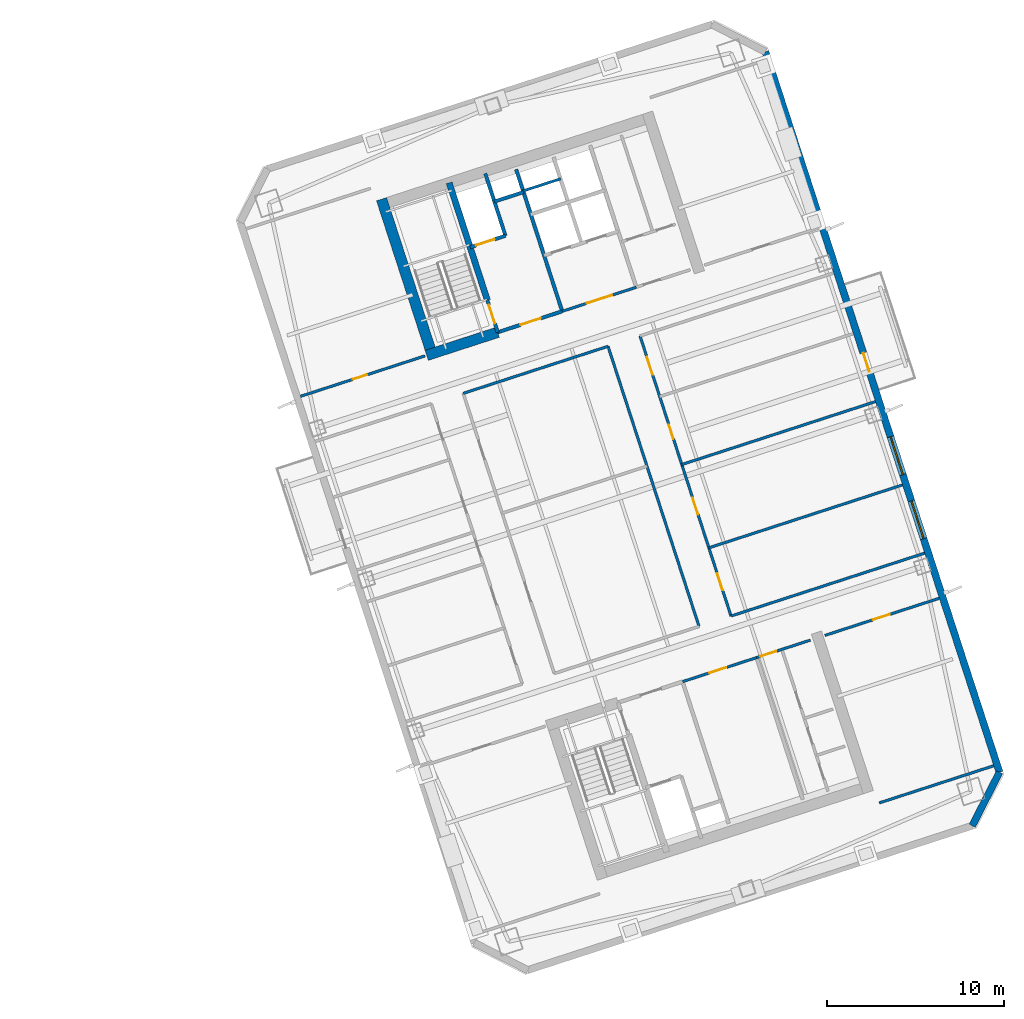
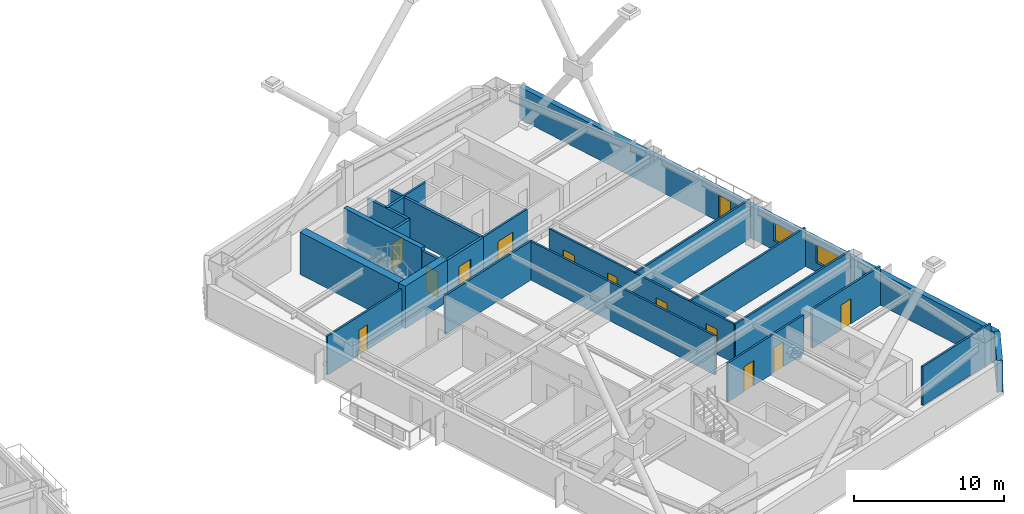
# One storey, part 10 of 18: 24 walls, 13 doors, 2 windows, 15 openings.
"""IFC4 building model written with IfcOpenShell, lengths in metres."""

from ifc_helpers import new_model, si_unit, direction, frame, frame_2d, origin, place, context, subcontext, project, spatial, rectangle, extrude, material, layer, layer_set, type_object, element, fill, save


model = new_model("IFC4")

# Units and contexts
model_context = context("Model", 3, precision=1e-05, world=origin(), true_north=direction((0.0, 1.0)))
body_context = subcontext(model_context, "Body", "Model", "MODEL_VIEW")
ifc_project = project(units=[si_unit("LENGTHUNIT", "METRE"), si_unit("AREAUNIT", "SQUARE_METRE"), si_unit("VOLUMEUNIT", "CUBIC_METRE"), si_unit("PLANEANGLEUNIT", "RADIAN"), si_unit("MASSUNIT", "GRAM", prefix="KILO")], contexts=[model_context])

# Site, building, storey
site_placement = place(None, origin())
site = spatial("IfcSite", under=ifc_project, at=site_placement, CompositionType="ELEMENT")
building_placement = place(site_placement, origin())
building = spatial("IfcBuilding", under=site, at=building_placement, Name="Qiaolan Cultural Towers", CompositionType="ELEMENT")
storey_placement = place(building_placement, frame((0.0, 0.0, 163.300048828125)))
storey = spatial("IfcBuildingStorey", under=building, at=storey_placement, Name="L43", CompositionType="ELEMENT", Elevation=163.300048828125)

# Walls
ifc_material_1 = material(Name="Concrete C50", Category="concrete")
ifc_layer_1 = layer(ifc_material_1, 0.35009765625)
ifc_layer_set_1 = layer_set([ifc_layer_1], Name="Concrete C50")
wall_type_1 = type_object("IfcWallType", Name="WL-CORE-350", PredefinedType="SHEAR", material=ifc_layer_set_1)
wall_1_placement = place(storey_placement, frame((82.513671875, 45.13134765625, 0.0), z_axis=(0.0, 0.0, 1.0), x_axis=(-0.308988790936, 0.951065679686, 0.0)))
element("IfcWall", 1, at=wall_1_placement, inside=storey, type_object=wall_type_1, Name="L43 T2-CN Stair Core Dividing Web", PredefinedType="SHEAR", context=body_context, shape_type="SweptSolid", body=[
    extrude(rectangle(XDim=6.97998046875, YDim=0.35009765625, at=frame_2d((3.489990234375, 0.0))), origin(), (0.0, 0.0, 1.0), 3.449951171875),
])
ifc_material_2 = material(Name="Concrete C55", Category="concrete")
ifc_layer_2 = layer(ifc_material_2, 0.60009765625)
ifc_layer_set_2 = layer_set([ifc_layer_2], Name="Concrete C55")
wall_type_2 = type_object("IfcWallType", Name="WL-CORE-600", PredefinedType="SHEAR", material=ifc_layer_set_2)
wall_2_placement = place(storey_placement, frame((79.465576171875, 41.827880859375, 0.0), z_axis=(0.0, 0.0, 1.0), x_axis=(-0.309041232772, 0.951048640421, 0.0)))
element("IfcWall", 2, at=wall_2_placement, inside=storey, type_object=wall_type_2, Name="L43 T2-CN West Core Shear Wall", PredefinedType="SHEAR", context=body_context, shape_type="SweptSolid", body=[
    extrude(rectangle(XDim=9.47998046875, YDim=0.60009765625, at=frame_2d((4.739990234375, 0.0))), origin(), (0.0, 0.0, 1.0), 3.449951171875),
])
wall_3_placement = place(storey_placement, frame((79.08740234375, 42.0205078125, 0.0), z_axis=(0.0, 0.0, 1.0), x_axis=(0.951062550203, 0.3089984233, 0.0)))
element("IfcWall", 3, at=wall_3_placement, inside=storey, type_object=wall_type_2, Name="L43 T2-CN Stair Front Shear Wall", PredefinedType="SHEAR", context=body_context, shape_type="SweptSolid", body=[
    extrude(rectangle(XDim=4.219970703125, YDim=0.60009765625, at=frame_2d((2.10986328125, 0.0))), origin(), (0.0, 0.0, 1.0), 3.449951171875),
])

# Wall, openings, door, windows
ifc_material_3 = material(Name="Precast Concrete C50 Honed Stone Pier", Category="masonry")
ifc_layer_3 = layer(ifc_material_3, 0.39990234375)
ifc_layer_set_3 = layer_set([ifc_layer_3], Name="Precast Concrete C50 Honed Stone Pier")
wall_type_3 = type_object("IfcWallType", Name="WL-EXT-PIER-400", PredefinedType="SOLIDWALL", material=ifc_layer_set_3)
wall_4_placement = place(storey_placement, frame((98.2236328125, 59.17333984375, 0.0), z_axis=(0.0, 0.0, 1.0), x_axis=(0.309014228706, -0.951057414911, 0.0)))
wall_4 = element("IfcWall", 4, at=wall_4_placement, inside=storey, type_object=wall_type_3, Name="L43 East Tower Precast Pier Facade Wall F5", PredefinedType="SOLIDWALL", context=body_context, shape_type="SweptSolid", body=[
    extrude(rectangle(XDim=42.800048828125, YDim=0.39990234375, at=frame_2d((21.39990234375, 0.0))), origin(), (0.0, 0.0, 1.0), 2.60986328125),
])
opening_1_placement = place(wall_4_placement, frame((26.675048828125, 0.0, 0.75)))
opening_1 = element("IfcOpeningElement", 5, at=opening_1_placement, cuts=wall_4, Name="Opening W-03", PredefinedType="OPENING", context=body_context, shape_type="SweptSolid", body=[
    extrude(rectangle(XDim=2.25, YDim=1.4599609375, at=frame_2d((1.125, 0.72998046875))), frame((0.0, 0.2099609375, 0.0), z_axis=(0.0, -1.0, 0.0), x_axis=(1.0, 0.0, 0.0)), (0.0, 0.0, 1.0), 0.419921875),
])
opening_2_placement = place(wall_4_placement, frame((22.875, 0.0, 0.75)))
opening_2 = element("IfcOpeningElement", 6, at=opening_2_placement, cuts=wall_4, Name="Opening W-03", PredefinedType="OPENING", context=body_context, shape_type="SweptSolid", body=[
    extrude(rectangle(XDim=2.25, YDim=1.4599609375, at=frame_2d((1.125, 0.72998046875))), frame((0.0, 0.2099609375, 0.0), z_axis=(0.0, -1.0, 0.0), x_axis=(1.0, 0.0, 0.0)), (0.0, 0.0, 1.0), 0.419921875),
])
opening_3_placement = place(wall_4_placement, frame((17.8916015625, 0.0, 0.0)))
opening_3 = element("IfcOpeningElement", 7, at=opening_3_placement, cuts=wall_4, Name="Opening BD-01", PredefinedType="OPENING", context=body_context, shape_type="SweptSolid", body=[
    extrude(rectangle(XDim=1.10009765625, YDim=2.14990234375, at=frame_2d((0.550048828125, 1.074951171875))), frame((0.0, 0.2099609375, 0.0), z_axis=(0.0, -1.0, 0.0), x_axis=(1.0, 0.0, 0.0)), (0.0, 0.0, 1.0), 0.419921875),
])
ifc_material_4 = material(Name="Thermally Broken Aluminium Glazed Terrace Door", Category="aluminium")
door_type_1 = type_object("IfcDoorType", Name="DR-BAL-1100", OperationType="NOTDEFINED", PredefinedType="DOOR", material=ifc_material_4)
door_1_placement = place(opening_3_placement, origin())
door_1 = element("IfcDoor", 8, at=door_1_placement, inside=storey, type_object=door_type_1, Name="L43 T2 East Tree Balcony Door", OperationType="SINGLE_SWING_RIGHT", OverallHeight=2.14990234375, OverallWidth=1.10009765625, PredefinedType="DOOR", context=body_context, shape_type="SweptSolid", body=[
    extrude(rectangle(XDim=1.10009765625, YDim=2.14990234375, at=frame_2d((0.550048828125, 1.074951171875))), frame((0.0, 0.02490234375, 0.0), z_axis=(0.0, -1.0, 0.0), x_axis=(1.0, 0.0, 0.0)), (0.0, 0.0, 1.0), 0.050048828125),
])
fill(opening_3, door_1)
ifc_material_5 = material(Name="Thermally Broken Aluminium Triple Low-E Glazing", Category="aluminium")
window_type = type_object("IfcWindowType", Name="WN-CHIC-2250", PartitioningType="SINGLE_PANEL", PredefinedType="WINDOW", material=ifc_material_5)
window_1_placement = place(opening_1_placement, origin())
window_1 = element("IfcWindow", 9, at=window_1_placement, inside=storey, type_object=window_type, Name="L43 T2 E Chicago Bay Window 1", OverallHeight=1.4599609375, OverallWidth=2.25, PartitioningType="TRIPLE_PANEL_VERTICAL", PredefinedType="WINDOW", context=body_context, shape_type="SweptSolid", body=[
    extrude(rectangle(XDim=2.25, YDim=1.4599609375, at=frame_2d((1.125, 0.72998046875))), frame((0.0, 0.030029296875, 0.0), z_axis=(0.0, -1.0, 0.0), x_axis=(1.0, 0.0, 0.0)), (0.0, 0.0, 1.0), 0.06005859375),
])
fill(opening_1, window_1)
window_2_placement = place(opening_2_placement, origin())
window_2 = element("IfcWindow", 10, at=window_2_placement, inside=storey, type_object=window_type, Name="L43 T2 E Chicago Bay Window 2", OverallHeight=1.4599609375, OverallWidth=2.25, PartitioningType="TRIPLE_PANEL_VERTICAL", PredefinedType="WINDOW", context=body_context, shape_type="SweptSolid", body=[
    extrude(rectangle(XDim=2.25, YDim=1.4599609375, at=frame_2d((1.125, 0.72998046875))), frame((0.0, 0.030029296875, 0.0), z_axis=(0.0, -1.0, 0.0), x_axis=(1.0, 0.0, 0.0)), (0.0, 0.0, 1.0), 0.06005859375),
])
fill(opening_2, window_2)

# Wall
wall_5_placement = place(storey_placement, frame((111.449462890625, 18.468017578125, 0.0), z_axis=(0.0, 0.0, 1.0), x_axis=(-0.454019523198, -0.890991735402, 0.0)))
element("IfcWall", 11, at=wall_5_placement, inside=storey, type_object=wall_type_3, Name="L43 East Tower Precast Pier Facade Wall F6", PredefinedType="SOLIDWALL", context=body_context, shape_type="SweptSolid", body=[
    extrude(rectangle(XDim=3.39404296875, YDim=0.39990234375, at=frame_2d((1.697021484375, 0.0))), origin(), (0.0, 0.0, 1.0), 2.60986328125),
])

# Wall, opening, door
ifc_material_6 = material(Name="Concrete C35 Fire Wall", Category="concrete")
ifc_layer_4 = layer(ifc_material_6, 0.199951171875)
ifc_layer_set_4 = layer_set([ifc_layer_4], Name="Concrete C35 Fire Wall")
wall_type_4 = type_object("IfcWallType", Name="WL-FIRE-200", PredefinedType="PARTITIONING", material=ifc_layer_set_4)
wall_6_placement = place(storey_placement, frame((83.100830078125, 43.324462890625, 0.0), z_axis=(0.0, 0.0, 1.0), x_axis=(-0.309048298632, 0.951046344356, 0.0)))
wall_6 = element("IfcWall", 12, at=wall_6_placement, inside=storey, type_object=wall_type_4, Name="L43 T2-CN Smokeproof Stair Entry Wall", PredefinedType="PARTITIONING", context=body_context, shape_type="SweptSolid", body=[
    extrude(rectangle(XDim=1.89990234375, YDim=0.199951171875, at=frame_2d((0.949951171875, 0.0))), origin(), (0.0, 0.0, 1.0), 3.175048828125),
])
opening_4_placement = place(wall_6_placement, frame((0.52001953125, 0.0, 0.0)))
opening_4 = element("IfcOpeningElement", 13, at=opening_4_placement, cuts=wall_6, Name="Opening FD-04", PredefinedType="OPENING", context=body_context, shape_type="SweptSolid", body=[
    extrude(rectangle(XDim=1.10009765625, YDim=2.050048828125, at=frame_2d((0.550048828125, 1.02490234375))), frame((0.0, 0.10986328125, 0.0), z_axis=(0.0, -1.0, 0.0), x_axis=(1.0, 0.0, 0.0)), (0.0, 0.0, 1.0), 0.219970703125),
])
ifc_material_7 = material(Name="Galvanized Steel Command Fire Door", Category="steel")
door_type_2 = type_object("IfcDoorType", Name="DR-FD90-1100", OperationType="NOTDEFINED", PredefinedType="DOOR", material=ifc_material_7)
door_2_placement = place(opening_4_placement, origin())
door_2 = element("IfcDoor", 14, at=door_2_placement, inside=storey, type_object=door_type_2, Name="L43 ST-E2 Smokeproof Stair Fire Door", OperationType="SINGLE_SWING_LEFT", OverallHeight=2.050048828125, OverallWidth=1.10009765625, PredefinedType="DOOR", context=body_context, shape_type="SweptSolid", body=[
    extrude(rectangle(XDim=1.10009765625, YDim=2.050048828125, at=frame_2d((0.550048828125, 1.02490234375))), frame((0.0, 0.02490234375, 0.0), z_axis=(0.0, -1.0, 0.0), x_axis=(1.0, 0.0, 0.0)), (0.0, 0.0, 1.0), 0.050048828125),
])
fill(opening_4, door_2)

# Wall
wall_7_placement = place(storey_placement, frame((86.743408203125, 44.508056640625, 0.0), z_axis=(0.0, 0.0, 1.0), x_axis=(-0.309016001439, 0.951056838919, 0.0)))
element("IfcWall", 15, at=wall_7_placement, inside=storey, type_object=wall_type_4, Name="L43 T2-CN Firefighting Zone Wall", PredefinedType="PARTITIONING", context=body_context, shape_type="SweptSolid", body=[
    extrude(rectangle(XDim=8.429931640625, YDim=0.199951171875, at=frame_2d((4.21484375, 0.0))), origin(), (0.0, 0.0, 1.0), 3.175048828125),
])

# Wall, opening, door
wall_8_placement = place(storey_placement, frame((83.100830078125, 43.324462890625, 0.0), z_axis=(0.0, 0.0, 1.0), x_axis=(0.951052804469, 0.309028417967, 0.0)))
wall_8 = element("IfcWall", 16, at=wall_8_placement, inside=storey, type_object=wall_type_4, Name="L43 T2-CN Firefighting Lobby Front Wall", PredefinedType="PARTITIONING", context=body_context, shape_type="SweptSolid", body=[
    extrude(rectangle(XDim=3.830078125, YDim=0.199951171875, at=frame_2d((1.9150390625, 0.0))), origin(), (0.0, 0.0, 1.0), 3.175048828125),
])
opening_5_placement = place(wall_8_placement, frame((1.35009765625, 0.0, 0.0)))
opening_5 = element("IfcOpeningElement", 17, at=opening_5_placement, cuts=wall_8, Name="Opening FD-03", PredefinedType="OPENING", context=body_context, shape_type="SweptSolid", body=[
    extrude(rectangle(XDim=1.199951171875, YDim=2.050048828125, at=frame_2d((0.60009765625, 1.02490234375))), frame((0.0, 0.10986328125, 0.0), z_axis=(0.0, -1.0, 0.0), x_axis=(1.0, 0.0, 0.0)), (0.0, 0.0, 1.0), 0.219970703125),
])
ifc_material_8 = material(Name="Galvanized Steel Smokeproof Lobby Fire Door", Category="steel")
door_type_3 = type_object("IfcDoorType", Name="DR-FD90-1200", OperationType="NOTDEFINED", PredefinedType="DOOR", material=ifc_material_8)
door_3_placement = place(opening_5_placement, origin())
door_3 = element("IfcDoor", 18, at=door_3_placement, inside=storey, type_object=door_type_3, Name="L43 FFL-E2 Firefighting Lobby Fire Door", OperationType="SINGLE_SWING_LEFT", OverallHeight=2.050048828125, OverallWidth=1.199951171875, PredefinedType="DOOR", context=body_context, shape_type="SweptSolid", body=[
    extrude(rectangle(XDim=1.199951171875, YDim=2.050048828125, at=frame_2d((0.60009765625, 1.02490234375))), frame((0.0, 0.02490234375, 0.0), z_axis=(0.0, -1.0, 0.0), x_axis=(1.0, 0.0, 0.0)), (0.0, 0.0, 1.0), 0.050048828125),
])
fill(opening_5, door_3)

wall_9_placement = place(storey_placement, frame((81.540283203125, 48.127197265625, 0.0), z_axis=(0.0, 0.0, 1.0), x_axis=(0.951062257173, 0.308999325213, 0.0)))
wall_9 = element("IfcWall", 19, at=wall_9_placement, inside=storey, type_object=wall_type_4, Name="L43 T2-CN Firefighting Shaft Front Wall", PredefinedType="PARTITIONING", context=body_context, shape_type="SweptSolid", body=[
    extrude(rectangle(XDim=2.10009765625, YDim=0.199951171875, at=frame_2d((1.050048828125, 0.0))), origin(), (0.0, 0.0, 1.0), 3.175048828125),
])
opening_6_placement = place(wall_9_placement, frame((0.35009765625, 0.0, 0.0)))
opening_6 = element("IfcOpeningElement", 20, at=opening_6_placement, cuts=wall_9, Name="Opening LD-01", PredefinedType="OPENING", context=body_context, shape_type="SweptSolid", body=[
    extrude(rectangle(XDim=1.10009765625, YDim=2.050048828125, at=frame_2d((0.550048828125, 1.02490234375))), frame((0.0, 0.10986328125, 0.0), z_axis=(0.0, -1.0, 0.0), x_axis=(1.0, 0.0, 0.0)), (0.0, 0.0, 1.0), 0.219970703125),
])
ifc_material_9 = material(Name="Brushed Stainless Steel S30408 Centre-Parting Lift Landing Door", Category="steel")
door_type_4 = type_object("IfcDoorType", Name="DR-LIFT-1100", OperationType="NOTDEFINED", PredefinedType="DOOR", material=ifc_material_9)
door_4_placement = place(opening_6_placement, origin())
door_4 = element("IfcDoor", 21, at=door_4_placement, inside=storey, type_object=door_type_4, Name="L43 FFL-E2 Firefighting Lift Landing Door", OperationType="DOUBLE_DOOR_SLIDING", OverallHeight=2.050048828125, OverallWidth=1.10009765625, PredefinedType="DOOR", context=body_context, shape_type="SweptSolid", body=[
    extrude(rectangle(XDim=1.10009765625, YDim=2.050048828125, at=frame_2d((0.550048828125, 1.02490234375))), frame((0.0, 0.02490234375, 0.0), z_axis=(0.0, -1.0, 0.0), x_axis=(1.0, 0.0, 0.0)), (0.0, 0.0, 1.0), 0.050048828125),
])
fill(opening_6, door_4)

# Walls
wall_10_placement = place(storey_placement, frame((83.53759765625, 48.776123046875, 0.0), z_axis=(0.0, 0.0, 1.0), x_axis=(-0.3089935693, 0.951064127245, 0.0)))
element("IfcWall", 22, at=wall_10_placement, inside=storey, type_object=wall_type_4, Name="L43 T2-CN Firefighting Hoistway East Wall", PredefinedType="PARTITIONING", context=body_context, shape_type="SweptSolid", body=[
    extrude(rectangle(XDim=3.7001953125, YDim=0.199951171875, at=frame_2d((1.85009765625, 0.0))), origin(), (0.0, 0.0, 1.0), 3.175048828125),
])
wall_11_placement = place(storey_placement, frame((82.910400390625, 50.706787109375, 0.0), z_axis=(0.0, 0.0, 1.0), x_axis=(0.951041328149, 0.309063734775, 0.0)))
element("IfcWall", 23, at=wall_11_placement, inside=storey, type_object=wall_type_4, Name="L43 T2-CN Pressurization Shaft Front Wall", PredefinedType="PARTITIONING", context=body_context, shape_type="SweptSolid", body=[
    extrude(rectangle(XDim=1.72998046875, YDim=0.199951171875, at=frame_2d((0.864990234375, 0.0))), origin(), (0.0, 0.0, 1.0), 3.175048828125),
])

# Wall, opening, door
ifc_material_10 = material(Name="Autoclaved Aerated Concrete Block B06", Category="concrete")
ifc_layer_5 = layer(ifc_material_10, 0.14990234375)
ifc_layer_set_5 = layer_set([ifc_layer_5], Name="Autoclaved Aerated Concrete Block B06")
wall_type_5 = type_object("IfcWallType", Name="WL-PART-150", PredefinedType="PARTITIONING", material=ifc_layer_set_5)
wall_12_placement = place(storey_placement, frame((93.541748046875, 23.584716796875, 0.0), z_axis=(0.0, 0.0, 1.0), x_axis=(0.951063829732, 0.308994485023, 0.0)))
wall_12 = element("IfcWall", 24, at=wall_12_placement, inside=storey, type_object=wall_type_5, Name="L43 T2-CS Reclaimed Core Room Front Wall", PredefinedType="PARTITIONING", context=body_context, shape_type="SweptSolid", body=[
    extrude(rectangle(XDim=4.400146484375, YDim=0.14990234375, at=frame_2d((2.2001953125, 0.0))), origin(), (0.0, 0.0, 1.0), 3.175048828125),
])
opening_7_placement = place(wall_12_placement, frame((1.60009765625, 0.0, 0.0)))
opening_7 = element("IfcOpeningElement", 25, at=opening_7_placement, cuts=wall_12, Name="Opening ID-04", PredefinedType="OPENING", context=body_context, shape_type="SweptSolid", body=[
    extrude(rectangle(XDim=1.0, YDim=2.050048828125, at=frame_2d((0.5, 1.02490234375))), frame((0.0, 0.0849609375, 0.0), z_axis=(0.0, -1.0, 0.0), x_axis=(1.0, 0.0, 0.0)), (0.0, 0.0, 1.0), 0.169921875),
])
ifc_material_11 = material(Name="Oak Veneer Acoustic Office Door", Category="timber")
door_type_5 = type_object("IfcDoorType", Name="DR-INT-1000", OperationType="NOTDEFINED", PredefinedType="DOOR", material=ifc_material_11)
door_5_placement = place(opening_7_placement, origin())
door_5 = element("IfcDoor", 26, at=door_5_placement, inside=storey, type_object=door_type_5, Name="L43 Reclaimed Archive Room Door", OperationType="SINGLE_SWING_LEFT", OverallHeight=2.050048828125, OverallWidth=1.0, PredefinedType="DOOR", context=body_context, shape_type="SweptSolid", body=[
    extrude(rectangle(XDim=1.0, YDim=2.050048828125, at=frame_2d((0.5, 1.02490234375))), frame((0.0, 0.02490234375, 0.0), z_axis=(0.0, -1.0, 0.0), x_axis=(1.0, 0.0, 0.0)), (0.0, 0.0, 1.0), 0.050048828125),
])
fill(opening_7, door_5)

wall_13_placement = place(storey_placement, frame((97.7265625, 24.9443359375, 0.0), z_axis=(0.0, 0.0, 1.0), x_axis=(0.951036872128, 0.309077446369, 0.0)))
wall_13 = element("IfcWall", 27, at=wall_13_placement, inside=storey, type_object=wall_type_5, Name="L43 T2-CS Sanitary Core Front Wall", PredefinedType="PARTITIONING", context=body_context, shape_type="SweptSolid", body=[
    extrude(rectangle(XDim=3.199951171875, YDim=0.14990234375, at=frame_2d((1.60009765625, 0.0))), origin(), (0.0, 0.0, 1.0), 3.175048828125),
])
opening_8_placement = place(wall_13_placement, frame((0.219970703125, 0.0, 0.0)))
opening_8 = element("IfcOpeningElement", 28, at=opening_8_placement, cuts=wall_13, Name="Opening ID-05", PredefinedType="OPENING", context=body_context, shape_type="SweptSolid", body=[
    extrude(rectangle(XDim=0.949951171875, YDim=2.050048828125, at=frame_2d((0.47509765625, 1.02490234375))), frame((0.0, 0.0849609375, 0.0), z_axis=(0.0, -1.0, 0.0), x_axis=(1.0, 0.0, 0.0)), (0.0, 0.0, 1.0), 0.169921875),
])
ifc_material_12 = material(Name="Fire-Rated Laminate Accessible Core Door", Category="timber")
door_type_6 = type_object("IfcDoorType", Name="DR-INT-950", OperationType="NOTDEFINED", PredefinedType="DOOR", material=ifc_material_12)
door_6_placement = place(opening_8_placement, origin())
door_6 = element("IfcDoor", 29, at=door_6_placement, inside=storey, type_object=door_type_6, Name="L43 Sanitary Vestibule Door", OperationType="SINGLE_SWING_LEFT", OverallHeight=2.050048828125, OverallWidth=0.949951171875, PredefinedType="DOOR", context=body_context, shape_type="SweptSolid", body=[
    extrude(rectangle(XDim=0.949951171875, YDim=2.050048828125, at=frame_2d((0.47509765625, 1.02490234375))), frame((0.0, 0.02490234375, 0.0), z_axis=(0.0, -1.0, 0.0), x_axis=(1.0, 0.0, 0.0)), (0.0, 0.0, 1.0), 0.050048828125),
])
fill(opening_8, door_6)

wall_14_placement = place(storey_placement, frame((86.743408203125, 44.508056640625, 0.0), z_axis=(0.0, 0.0, 1.0), x_axis=(0.951063829732, 0.308994485023, 0.0)))
wall_14 = element("IfcWall", 30, at=wall_14_placement, inside=storey, type_object=wall_type_5, Name="L43 T2-CN Passenger Lift Lobby Front Wall", PredefinedType="PARTITIONING", context=body_context, shape_type="SweptSolid", body=[
    extrude(rectangle(XDim=4.400146484375, YDim=0.14990234375, at=frame_2d((2.2001953125, 0.0))), origin(), (0.0, 0.0, 1.0), 3.175048828125),
])
opening_9_placement = place(wall_14_placement, frame((1.449951171875, 0.0, 0.0)))
opening_9 = element("IfcOpeningElement", 31, at=opening_9_placement, cuts=wall_14, Name="Opening FD-05", PredefinedType="OPENING", context=body_context, shape_type="SweptSolid", body=[
    extrude(rectangle(XDim=1.5, YDim=2.050048828125, at=frame_2d((0.75, 1.02490234375))), frame((0.0, 0.0849609375, 0.0), z_axis=(0.0, -1.0, 0.0), x_axis=(1.0, 0.0, 0.0)), (0.0, 0.0, 1.0), 0.169921875),
])
ifc_material_13 = material(Name="Painted Steel Lift Lobby Fire Door", Category="steel")
door_type_7 = type_object("IfcDoorType", Name="DR-FD60-1500", OperationType="NOTDEFINED", PredefinedType="DOOR", material=ifc_material_13)
door_7_placement = place(opening_9_placement, origin())
door_7 = element("IfcDoor", 32, at=door_7_placement, inside=storey, type_object=door_type_7, Name="L43 Passenger Lift Lobby Entrance", OperationType="SINGLE_SWING_LEFT", OverallHeight=2.050048828125, OverallWidth=1.5, PredefinedType="DOOR", context=body_context, shape_type="SweptSolid", body=[
    extrude(rectangle(XDim=1.5, YDim=2.050048828125, at=frame_2d((0.75, 1.02490234375))), frame((0.0, 0.02490234375, 0.0), z_axis=(0.0, -1.0, 0.0), x_axis=(1.0, 0.0, 0.0)), (0.0, 0.0, 1.0), 0.050048828125),
])
fill(opening_9, door_7)

# Walls
wall_15_placement = place(storey_placement, frame((84.533935546875, 51.30810546875, 0.0), z_axis=(0.0, 0.0, 1.0), x_axis=(0.951075093106, 0.308959814982, 0.0)))
element("IfcWall", 33, at=wall_15_placement, inside=storey, type_object=wall_type_5, Name="L43 T2-CN Core Rear Riser Split", PredefinedType="PARTITIONING", context=body_context, shape_type="SweptSolid", body=[
    extrude(rectangle(XDim=2.22998046875, YDim=0.14990234375, at=frame_2d((1.114990234375, 0.0))), origin(), (0.0, 0.0, 1.0), 3.175048828125),
])
wall_16_placement = place(storey_placement, frame((104.653076171875, 16.73291015625, 0.0), z_axis=(0.0, 0.0, 1.0), x_axis=(0.951054383043, 0.309023559774, 0.0)))
element("IfcWall", 34, at=wall_16_placement, inside=storey, type_object=wall_type_5, Name="L43 T2 Flank Wall FLK-SE", PredefinedType="PARTITIONING", context=body_context, shape_type="SweptSolid", body=[
    extrude(rectangle(XDim=6.7998046875, YDim=0.14990234375, at=frame_2d((3.39990234375, 0.0))), origin(), (0.0, 0.0, 1.0), 3.175048828125),
])

# Wall, opening, door
wall_17_placement = place(storey_placement, frame((101.578369140625, 26.196044921875, 0.0), z_axis=(0.0, 0.0, 1.0), x_axis=(0.951064934653, 0.308991084134, 0.0)))
wall_17 = element("IfcWall", 35, at=wall_17_placement, inside=storey, type_object=wall_type_5, Name="L43 T2 Flank Front FLK-SE", PredefinedType="PARTITIONING", context=body_context, shape_type="SweptSolid", body=[
    extrude(rectangle(XDim=6.7998046875, YDim=0.14990234375, at=frame_2d((3.39990234375, 0.0))), origin(), (0.0, 0.0, 1.0), 3.175048828125),
])
opening_10_placement = place(wall_17_placement, frame((2.85595703125, 0.0, 0.0)))
opening_10 = element("IfcOpeningElement", 36, at=opening_10_placement, cuts=wall_17, Name="Opening ID-04", PredefinedType="OPENING", context=body_context, shape_type="SweptSolid", body=[
    extrude(rectangle(XDim=1.0, YDim=2.050048828125, at=frame_2d((0.5, 1.02490234375))), frame((0.0, 0.0849609375, 0.0), z_axis=(0.0, -1.0, 0.0), x_axis=(1.0, 0.0, 0.0)), (0.0, 0.0, 1.0), 0.169921875),
])
door_8_placement = place(opening_10_placement, origin())
door_8 = element("IfcDoor", 37, at=door_8_placement, inside=storey, type_object=door_type_5, Name="L43 T2 Corner Studio Door", OperationType="SINGLE_SWING_LEFT", OverallHeight=2.050048828125, OverallWidth=1.0, PredefinedType="DOOR", context=body_context, shape_type="SweptSolid", body=[
    extrude(rectangle(XDim=1.0, YDim=2.050048828125, at=frame_2d((0.5, 1.02490234375))), frame((0.0, 0.02490234375, 0.0), z_axis=(0.0, -1.0, 0.0), x_axis=(1.0, 0.0, 0.0)), (0.0, 0.0, 1.0), 0.050048828125),
])
fill(opening_10, door_8)

wall_18_placement = place(storey_placement, frame((71.95458984375, 39.702880859375, 0.0), z_axis=(0.0, 0.0, 1.0), x_axis=(0.951060977215, 0.309003264738, 0.0)))
wall_18 = element("IfcWall", 38, at=wall_18_placement, inside=storey, type_object=wall_type_5, Name="L43 T2 Flank Front FLK-NW", PredefinedType="PARTITIONING", context=body_context, shape_type="SweptSolid", body=[
    extrude(rectangle(XDim=7.39990234375, YDim=0.14990234375, at=frame_2d((3.699951171875, 0.0))), origin(), (0.0, 0.0, 1.0), 3.175048828125),
])
opening_11_placement = place(wall_18_placement, frame((3.10791015625, 0.0, 0.0)))
opening_11 = element("IfcOpeningElement", 39, at=opening_11_placement, cuts=wall_18, Name="Opening ID-09", PredefinedType="OPENING", context=body_context, shape_type="SweptSolid", body=[
    extrude(rectangle(XDim=0.85009765625, YDim=2.050048828125, at=frame_2d((0.425048828125, 1.02490234375))), frame((0.0, 0.0849609375, 0.0), z_axis=(0.0, -1.0, 0.0), x_axis=(1.0, 0.0, 0.0)), (0.0, 0.0, 1.0), 0.169921875),
])
ifc_material_14 = material(Name="Moisture-Resistant Laminate Utility Door", Category="timber")
door_type_8 = type_object("IfcDoorType", Name="DR-INT-850", OperationType="NOTDEFINED", PredefinedType="DOOR", material=ifc_material_14)
door_9_placement = place(opening_11_placement, origin())
door_9 = element("IfcDoor", 40, at=door_9_placement, inside=storey, type_object=door_type_8, Name="L43 T2 Corner Studio Door", OperationType="SINGLE_SWING_LEFT", OverallHeight=2.050048828125, OverallWidth=0.85009765625, PredefinedType="DOOR", context=body_context, shape_type="SweptSolid", body=[
    extrude(rectangle(XDim=0.85009765625, YDim=2.050048828125, at=frame_2d((0.425048828125, 1.02490234375))), frame((0.0, 0.02490234375, 0.0), z_axis=(0.0, -1.0, 0.0), x_axis=(1.0, 0.0, 0.0)), (0.0, 0.0, 1.0), 0.050048828125),
])
fill(opening_11, door_9)

# Walls
wall_19_placement = place(storey_placement, frame((96.280029296875, 27.29248046875, 0.0), z_axis=(0.0, 0.0, 1.0), x_axis=(0.951056999652, 0.309015506751, 0.0)))
element("IfcWall", 41, at=wall_19_placement, inside=storey, type_object=wall_type_5, Name="L43 T2 Interior Wall", PredefinedType="PARTITIONING", context=body_context, shape_type="SweptSolid", body=[
    extrude(rectangle(XDim=11.5, YDim=0.14990234375, at=frame_2d((5.75, 0.0))), origin(), (0.0, 0.0, 1.0), 3.175048828125),
])
wall_20_placement = place(storey_placement, frame((81.152099609375, 39.873291015625, 0.0), z_axis=(0.0, 0.0, 1.0), x_axis=(0.951057640494, 0.309013534425, 0.0)))
element("IfcWall", 42, at=wall_20_placement, inside=storey, type_object=wall_type_5, Name="L43 T2 Interior Wall", PredefinedType="PARTITIONING", context=body_context, shape_type="SweptSolid", body=[
    extrude(rectangle(XDim=8.599853515625, YDim=0.14990234375, at=frame_2d((4.2998046875, 0.0))), origin(), (0.0, 0.0, 1.0), 3.175048828125),
])
wall_21_placement = place(storey_placement, frame((94.47314453125, 26.705322265625, 0.0), z_axis=(0.0, 0.0, 1.0), x_axis=(-0.309022042254, 0.951054876125, 0.0)))
element("IfcWall", 43, at=wall_21_placement, inside=storey, type_object=wall_type_5, Name="L43 T2 Interior Wall", PredefinedType="PARTITIONING", context=body_context, shape_type="SweptSolid", body=[
    extrude(rectangle(XDim=16.639892578125, YDim=0.14990234375, at=frame_2d((8.31982421875, 0.0))), origin(), (0.0, 0.0, 1.0), 3.175048828125),
])

# Wall, openings, doors
wall_22_placement = place(storey_placement, frame((96.280029296875, 27.29248046875, 0.0), z_axis=(0.0, 0.0, 1.0), x_axis=(-0.309008771245, 0.951059188113, 0.0)))
wall_22 = element("IfcWall", 44, at=wall_22_placement, inside=storey, type_object=wall_type_5, Name="L43 T2 Interior Wall", PredefinedType="PARTITIONING", context=body_context, shape_type="SweptSolid", body=[
    extrude(rectangle(XDim=16.639892578125, YDim=0.14990234375, at=frame_2d((8.31982421875, 0.0))), origin(), (0.0, 0.0, 1.0), 3.175048828125),
])
opening_12_placement = place(wall_22_placement, frame((1.525634765625, 0.0, 0.0)))
opening_12 = element("IfcOpeningElement", 45, at=opening_12_placement, cuts=wall_22, Name="Opening ID-04", PredefinedType="OPENING", context=body_context, shape_type="SweptSolid", body=[
    extrude(rectangle(XDim=1.0, YDim=2.050048828125, at=frame_2d((0.5, 1.02490234375))), frame((0.0, 0.0849609375, 0.0), z_axis=(0.0, -1.0, 0.0), x_axis=(1.0, 0.0, 0.0)), (0.0, 0.0, 1.0), 0.169921875),
])
opening_13_placement = place(wall_22_placement, frame((6.025634765625, 0.0, 0.0)))
opening_13 = element("IfcOpeningElement", 46, at=opening_13_placement, cuts=wall_22, Name="Opening ID-04", PredefinedType="OPENING", context=body_context, shape_type="SweptSolid", body=[
    extrude(rectangle(XDim=1.0, YDim=2.050048828125, at=frame_2d((0.5, 1.02490234375))), frame((0.0, 0.0849609375, 0.0), z_axis=(0.0, -1.0, 0.0), x_axis=(1.0, 0.0, 0.0)), (0.0, 0.0, 1.0), 0.169921875),
])
opening_14_placement = place(wall_22_placement, frame((10.5185546875, 0.0, 0.0)))
opening_14 = element("IfcOpeningElement", 47, at=opening_14_placement, cuts=wall_22, Name="Opening ID-09", PredefinedType="OPENING", context=body_context, shape_type="SweptSolid", body=[
    extrude(rectangle(XDim=0.85009765625, YDim=2.050048828125, at=frame_2d((0.425048828125, 1.02490234375))), frame((0.0, 0.0849609375, 0.0), z_axis=(0.0, -1.0, 0.0), x_axis=(1.0, 0.0, 0.0)), (0.0, 0.0, 1.0), 0.169921875),
])
opening_15_placement = place(wall_22_placement, frame((14.33837890625, 0.0, 0.0)))
opening_15 = element("IfcOpeningElement", 48, at=opening_15_placement, cuts=wall_22, Name="Opening ID-07", PredefinedType="OPENING", context=body_context, shape_type="SweptSolid", body=[
    extrude(rectangle(XDim=1.050048828125, YDim=2.050048828125, at=frame_2d((0.52490234375, 1.02490234375))), frame((0.0, 0.0849609375, 0.0), z_axis=(0.0, -1.0, 0.0), x_axis=(1.0, 0.0, 0.0)), (0.0, 0.0, 1.0), 0.169921875),
])
door_10_placement = place(opening_12_placement, origin())
door_10 = element("IfcDoor", 49, at=door_10_placement, inside=storey, type_object=door_type_5, Name="L43 T2 Private Office Door", OperationType="SINGLE_SWING_RIGHT", OverallHeight=2.050048828125, OverallWidth=1.0, PredefinedType="DOOR", context=body_context, shape_type="SweptSolid", body=[
    extrude(rectangle(XDim=1.0, YDim=2.050048828125, at=frame_2d((0.5, 1.02490234375))), frame((0.0, 0.02490234375, 0.0), z_axis=(0.0, -1.0, 0.0), x_axis=(1.0, 0.0, 0.0)), (0.0, 0.0, 1.0), 0.050048828125),
])
fill(opening_12, door_10)
door_11_placement = place(opening_13_placement, origin())
door_11 = element("IfcDoor", 50, at=door_11_placement, inside=storey, type_object=door_type_5, Name="L43 T2 Private Office Door", OperationType="SINGLE_SWING_LEFT", OverallHeight=2.050048828125, OverallWidth=1.0, PredefinedType="DOOR", context=body_context, shape_type="SweptSolid", body=[
    extrude(rectangle(XDim=1.0, YDim=2.050048828125, at=frame_2d((0.5, 1.02490234375))), frame((0.0, 0.02490234375, 0.0), z_axis=(0.0, -1.0, 0.0), x_axis=(1.0, 0.0, 0.0)), (0.0, 0.0, 1.0), 0.050048828125),
])
fill(opening_13, door_11)
ifc_material_15 = material(Name="Oak Veneer Consultation Door", Category="timber")
door_type_9 = type_object("IfcDoorType", Name="DR-INT-1050", OperationType="NOTDEFINED", PredefinedType="DOOR", material=ifc_material_15)
door_12_placement = place(opening_15_placement, origin())
door_12 = element("IfcDoor", 51, at=door_12_placement, inside=storey, type_object=door_type_9, Name="L43 T2 Catering Kitchen Door", OperationType="SINGLE_SWING_LEFT", OverallHeight=2.050048828125, OverallWidth=1.050048828125, PredefinedType="DOOR", context=body_context, shape_type="SweptSolid", body=[
    extrude(rectangle(XDim=1.050048828125, YDim=2.050048828125, at=frame_2d((0.52490234375, 1.02490234375))), frame((0.0, 0.02490234375, 0.0), z_axis=(0.0, -1.0, 0.0), x_axis=(1.0, 0.0, 0.0)), (0.0, 0.0, 1.0), 0.050048828125),
])
fill(opening_15, door_12)
door_13_placement = place(opening_14_placement, origin())
door_13 = element("IfcDoor", 52, at=door_13_placement, inside=storey, type_object=door_type_8, Name="L43 T2 Occupational Health Room Door", OperationType="SINGLE_SWING_RIGHT", OverallHeight=2.050048828125, OverallWidth=0.85009765625, PredefinedType="DOOR", context=body_context, shape_type="SweptSolid", body=[
    extrude(rectangle(XDim=0.85009765625, YDim=2.050048828125, at=frame_2d((0.425048828125, 1.02490234375))), frame((0.0, 0.02490234375, 0.0), z_axis=(0.0, -1.0, 0.0), x_axis=(1.0, 0.0, 0.0)), (0.0, 0.0, 1.0), 0.050048828125),
])
fill(opening_14, door_13)

# Walls
wall_23_placement = place(storey_placement, frame((95.028076171875, 31.1455078125, 0.0), z_axis=(0.0, 0.0, 1.0), x_axis=(0.951056999652, 0.309015506751, 0.0)))
element("IfcWall", 53, at=wall_23_placement, inside=storey, type_object=wall_type_5, Name="L43 T2 Interior Wall", PredefinedType="PARTITIONING", context=body_context, shape_type="SweptSolid", body=[
    extrude(rectangle(XDim=11.5, YDim=0.14990234375, at=frame_2d((5.75, 0.0))), origin(), (0.0, 0.0, 1.0), 3.175048828125),
])
wall_24_placement = place(storey_placement, frame((93.4990234375, 35.851806640625, 0.0), z_axis=(0.0, 0.0, 1.0), x_axis=(0.951054972381, 0.309021746015, 0.0)))
element("IfcWall", 54, at=wall_24_placement, inside=storey, type_object=wall_type_5, Name="L43 T2 Interior Wall", PredefinedType="PARTITIONING", context=body_context, shape_type="SweptSolid", body=[
    extrude(rectangle(XDim=11.499755859375, YDim=0.14990234375, at=frame_2d((5.75, 0.0))), origin(), (0.0, 0.0, 1.0), 3.175048828125),
])

save(model, "model.ifc")
